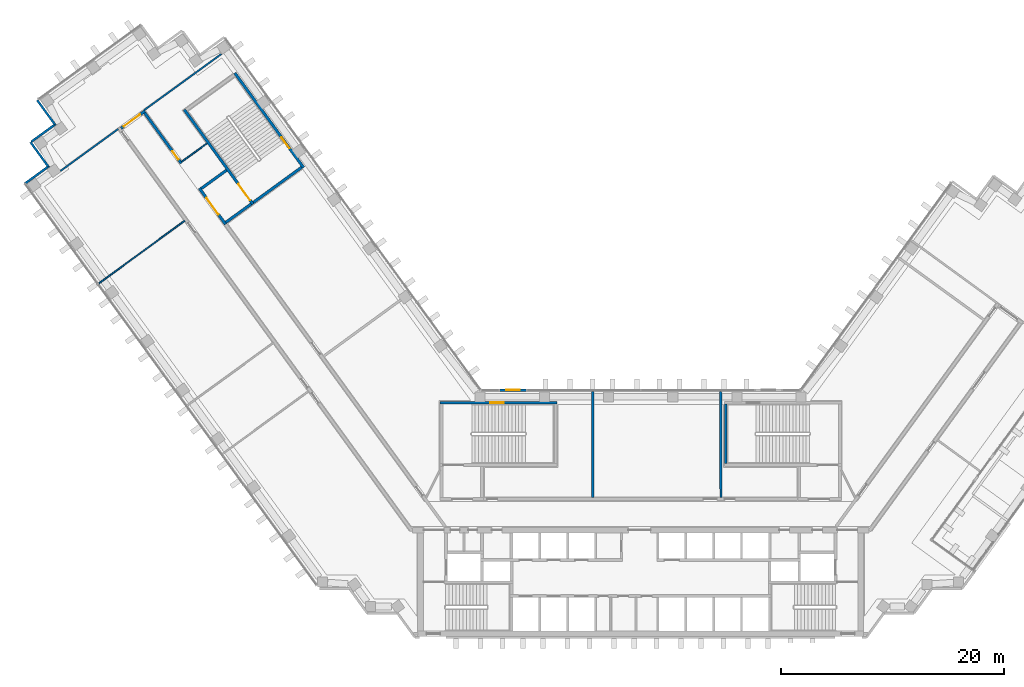
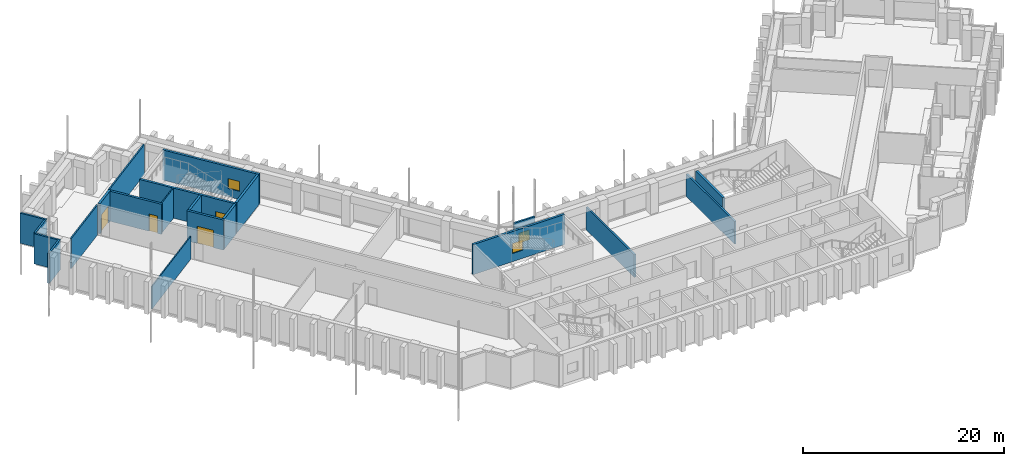
# One storey, part 11 of 17: 21 walls, 4 doors, 3 windows, 7 openings.
"""IFC4 building model written with IfcOpenShell, lengths in metres."""

from ifc_helpers import new_model, si_unit, direction, frame, frame_2d, origin, place, context, subcontext, project, spatial, rectangle, extrude, material, layer, layer_set, type_object, element, fill, save


model = new_model("IFC4")

# Units and contexts
model_context = context("Model", 3, precision=1e-05, world=origin(), true_north=direction((0.0, 1.0)))
body_context = subcontext(model_context, "Body", "Model", "MODEL_VIEW")
ifc_project = project(units=[si_unit("LENGTHUNIT", "METRE"), si_unit("AREAUNIT", "SQUARE_METRE"), si_unit("VOLUMEUNIT", "CUBIC_METRE"), si_unit("PLANEANGLEUNIT", "RADIAN"), si_unit("MASSUNIT", "GRAM", prefix="KILO")], contexts=[model_context])

# Site, building, storey
site_placement = place(None, origin())
site = spatial("IfcSite", under=ifc_project, at=site_placement, CompositionType="ELEMENT")
building_placement = place(site_placement, origin())
building = spatial("IfcBuilding", under=site, at=building_placement, Name="Quipu Civic Tower", CompositionType="ELEMENT")
storey_placement = place(building_placement, frame((0.0, 0.0, 101.0)))
storey = spatial("IfcBuildingStorey", under=building, at=storey_placement, Name="L23", CompositionType="ELEMENT", Elevation=101.0)

# Walls
ifc_material_1 = material(Name="Double gypsum plasterboard with mineral wool")
ifc_layer_1 = layer(ifc_material_1, 0.14990234375)
ifc_layer_set_1 = layer_set([ifc_layer_1], Name="Double gypsum plasterboard with mineral wool")
wall_type_1 = type_object("IfcWallType", Name="Acoustic partition 150 plasterboard", PredefinedType="PARTITIONING", material=ifc_layer_set_1)
wall_1_placement = place(storey_placement, frame((-37.614013671875, 41.2568359375, 0.0), z_axis=(0.0, 0.0, 1.0), x_axis=(-0.808991595707, -0.587820208972, 0.0)))
element("IfcWall", 1, at=wall_1_placement, inside=storey, type_object=wall_type_1, Name="Partition P07", PredefinedType="PARTITIONING", context=body_context, shape_type="SweptSolid", body=[
    extrude(rectangle(XDim=8.550537109375, YDim=0.14990234375, at=frame_2d((4.275390625, 0.0))), origin(), (0.0, 0.0, 1.0), 3.64990234375),
])
wall_2_placement = place(storey_placement, frame((-46.877197265625, 34.52587890625, 0.0), z_axis=(0.0, 0.0, 1.0), x_axis=(-0.808993566199, -0.587817497059, 0.0)))
element("IfcWall", 2, at=wall_2_placement, inside=storey, type_object=wall_type_1, Name="Partition P08", PredefinedType="PARTITIONING", context=body_context, shape_type="SweptSolid", body=[
    extrude(rectangle(XDim=6.39453125, YDim=0.14990234375, at=frame_2d((3.197265625, 0.0))), origin(), (0.0, 0.0, 1.0), 3.64990234375),
])
ifc_material_2 = material(Name="Fired clay blockwork", Category="masonry")
ifc_layer_2 = layer(ifc_material_2, 0.199951171875)
ifc_layer_set_2 = layer_set([ifc_layer_2], Name="Fired clay blockwork")
wall_type_2 = type_object("IfcWallType", Name="Blockwork wall 200", PredefinedType="SOLIDWALL", material=ifc_layer_set_2)
for number, where, z_axis, x_axis, name in (
    (3, (-4.299072265625, 11.0, 0.0), (0.0, 0.0, 1.0), (0.0, -1.0, 0.0), "Partition P04"),
    (4, (7.197998046875, 1.449951171875, 0.0), (0.0, 0.0, 1.0), (-0.002377476217, 0.999997173799, 0.0), "Partition P05"),
):
    element("IfcWall", number, at=place(storey_placement, frame(where, z_axis=z_axis, x_axis=x_axis)), inside=storey, type_object=wall_type_2, Name=name, PredefinedType="SOLIDWALL", context=body_context, shape_type="SweptSolid", body=[
        extrude(rectangle(XDim=9.550048828125, YDim=0.199951171875, at=frame_2d((4.77490234375, 0.0))), origin(), (0.0, 0.0, 1.0), 2.75),
    ])

# Wall, opening, window
ifc_material_3 = material(Name="Concrete C70/85", Category="concrete")
ifc_layer_3 = layer(ifc_material_3, 0.25)
ifc_layer_set_3 = layer_set([ifc_layer_3], Name="Concrete C70/85")
wall_type_3 = type_object("IfcWallType", Name="Core wall 250", PredefinedType="SHEAR", material=ifc_layer_set_3)
wall_3_placement = place(storey_placement, frame((-18.0, 9.97509765625, 0.0), z_axis=(0.0, 0.0, 1.0), x_axis=(1.0, 0.0, 0.0)))
wall_3 = element("IfcWall", 5, at=wall_3_placement, inside=storey, type_object=wall_type_3, Name="Core wall", PredefinedType="SHEAR", context=body_context, shape_type="SweptSolid", body=[
    extrude(rectangle(XDim=10.5, YDim=0.25, at=frame_2d((5.25, 0.0))), origin(), (0.0, 0.0, 1.0), 3.64990234375),
])
opening_1_placement = place(wall_3_placement, frame((4.5, 0.0, 1.0)))
opening_1 = element("IfcOpeningElement", 6, at=opening_1_placement, cuts=wall_3, Name="Opening SV-3", PredefinedType="OPENING", context=body_context, shape_type="SweptSolid", body=[
    extrude(rectangle(XDim=1.199951171875, YDim=1.199951171875, at=frame_2d((0.60009765625, 0.60009765625))), frame((0.0, 0.135009765625, 0.0), z_axis=(0.0, -1.0, 0.0), x_axis=(1.0, 0.0, 0.0)), (0.0, 0.0, 1.0), 0.27001953125),
])
ifc_material_4 = material(Name="Aluminium louvre", Category="aluminium")
window_type_1 = type_object("IfcWindowType", Name="Stair ventilation louvre 1200 x 1200", PartitioningType="SINGLE_PANEL", PredefinedType="WINDOW", material=ifc_material_4)
window_1_placement = place(opening_1_placement, origin())
window_1 = element("IfcWindow", 7, at=window_1_placement, inside=storey, type_object=window_type_1, Name="Stair ventilation opening", OverallHeight=1.199951171875, OverallWidth=1.199951171875, PartitioningType="SINGLE_PANEL", PredefinedType="WINDOW", context=body_context, shape_type="SweptSolid", body=[
    extrude(rectangle(XDim=1.199951171875, YDim=1.199951171875, at=frame_2d((0.60009765625, 0.60009765625))), frame((0.0, 0.030029296875, 0.0), z_axis=(0.0, -1.0, 0.0), x_axis=(1.0, 0.0, 0.0)), (0.0, 0.0, 1.0), 0.06005859375),
])
fill(opening_1, window_1)

# Wall
wall_4_placement = place(storey_placement, frame((7.625, 4.5, 0.0), z_axis=(0.0, 0.0, 1.0), x_axis=(0.0, 1.0, 0.0)))
element("IfcWall", 8, at=wall_4_placement, inside=storey, type_object=wall_type_3, Name="Core wall", PredefinedType="SHEAR", context=body_context, shape_type="SweptSolid", body=[
    extrude(rectangle(XDim=5.35009765625, YDim=0.25, at=frame_2d((2.675048828125, 0.0))), origin(), (0.0, 0.0, 1.0), 3.64990234375),
])

# Wall, opening, window
wall_5_placement = place(storey_placement, frame((-30.239501953125, 31.06396484375, 0.0), z_axis=(0.0, 0.0, 1.0), x_axis=(-0.587795589702, 0.809009483706, 0.0)))
wall_5 = element("IfcWall", 9, at=wall_5_placement, inside=storey, type_object=wall_type_3, Name="Core wall", PredefinedType="SHEAR", context=body_context, shape_type="SweptSolid", body=[
    extrude(rectangle(XDim=10.5, YDim=0.25, at=frame_2d((5.25, 0.0))), origin(), (0.0, 0.0, 1.0), 3.64990234375),
])
opening_2_placement = place(wall_5_placement, frame((2.14990234375, 0.0, 1.0)))
opening_2 = element("IfcOpeningElement", 10, at=opening_2_placement, cuts=wall_5, Name="Opening SV-6", PredefinedType="OPENING", context=body_context, shape_type="SweptSolid", body=[
    extrude(rectangle(XDim=1.199951171875, YDim=1.199951171875, at=frame_2d((0.60009765625, 0.60009765625))), frame((0.0, 0.135009765625, 0.0), z_axis=(0.0, -1.0, 0.0), x_axis=(1.0, 0.0, 0.0)), (0.0, 0.0, 1.0), 0.27001953125),
])
window_2_placement = place(opening_2_placement, origin())
window_2 = element("IfcWindow", 11, at=window_2_placement, inside=storey, type_object=window_type_1, Name="Stair ventilation opening", OverallHeight=1.199951171875, OverallWidth=1.199951171875, PartitioningType="SINGLE_PANEL", PredefinedType="WINDOW", context=body_context, shape_type="SweptSolid", body=[
    extrude(rectangle(XDim=1.199951171875, YDim=1.199951171875, at=frame_2d((0.60009765625, 0.60009765625))), frame((0.0, 0.030029296875, 0.0), z_axis=(0.0, -1.0, 0.0), x_axis=(1.0, 0.0, 0.0)), (0.0, 0.0, 1.0), 0.06005859375),
])
fill(opening_2, window_2)

# Wall
wall_6_placement = place(storey_placement, frame((-30.414306640625, 31.091796875, 0.0), z_axis=(0.0, 0.0, 1.0), x_axis=(-0.8089984606, -0.587810760999, 0.0)))
element("IfcWall", 12, at=wall_6_placement, inside=storey, type_object=wall_type_3, Name="Core wall", PredefinedType="SHEAR", context=body_context, shape_type="SweptSolid", body=[
    extrude(rectangle(XDim=5.35009765625, YDim=0.25, at=frame_2d((2.675048828125, 0.0))), origin(), (0.0, 0.0, 1.0), 3.64990234375),
])

# Wall, opening, door
wall_7_placement = place(storey_placement, frame((-40.94189453125, 36.26708984375, 0.0), z_axis=(0.0, 0.0, 1.0), x_axis=(0.587795589702, -0.809009483706, 0.0)))
wall_7 = element("IfcWall", 13, at=wall_7_placement, inside=storey, type_object=wall_type_3, Name="Core wall", PredefinedType="SHEAR", context=body_context, shape_type="SweptSolid", body=[
    extrude(rectangle(XDim=10.5, YDim=0.25, at=frame_2d((5.25, 0.0))), origin(), (0.0, 0.0, 1.0), 3.64990234375),
])
opening_3_placement = place(wall_7_placement, frame((8.25, 0.0, 0.0)))
opening_3 = element("IfcOpeningElement", 14, at=opening_3_placement, cuts=wall_7, Name="Opening CD-19", PredefinedType="OPENING", context=body_context, shape_type="SweptSolid", body=[
    extrude(rectangle(XDim=1.800048828125, YDim=2.10009765625, at=frame_2d((0.89990234375, 1.050048828125))), frame((0.0, 0.135009765625, 0.0), z_axis=(0.0, -1.0, 0.0), x_axis=(1.0, 0.0, 0.0)), (0.0, 0.0, 1.0), 0.27001953125),
])
ifc_material_5 = material(Name="Fire rated steel door", Category="steel")
door_type_1 = type_object("IfcDoorType", Name="Fire door FD90 double 1800 x 2100", OperationType="NOTDEFINED", PredefinedType="DOOR", material=ifc_material_5)
door_1_placement = place(opening_3_placement, origin())
door_1 = element("IfcDoor", 15, at=door_1_placement, inside=storey, type_object=door_type_1, Name="Door", OperationType="DOUBLE_DOOR_SINGLE_SWING", OverallHeight=2.10009765625, OverallWidth=1.800048828125, PredefinedType="DOOR", context=body_context, shape_type="SweptSolid", body=[
    extrude(rectangle(XDim=1.800048828125, YDim=2.10009765625, at=frame_2d((0.89990234375, 1.050048828125))), frame((0.0, 0.02490234375, 0.0), z_axis=(0.0, -1.0, 0.0), x_axis=(1.0, 0.0, 0.0)), (0.0, 0.0, 1.0), 0.050048828125),
])
fill(opening_3, door_1)

# Walls
for number, where, z_axis, x_axis, name in (
    (16, (-34.944580078125, 27.800048828125, 0.0), (0.0, 0.0, 1.0), (-0.809041377956, -0.587751689708, 0.0), "Core wall"),
    (17, (-37.14892578125, 30.833984375, 0.0), (0.0, 0.0, 1.0), (-0.808969789945, -0.58785021813, 0.0), "Core wall"),
):
    element("IfcWall", number, at=place(storey_placement, frame(where, z_axis=z_axis, x_axis=x_axis)), inside=storey, type_object=wall_type_3, Name=name, PredefinedType="SHEAR", context=body_context, shape_type="SweptSolid", body=[
        extrude(rectangle(XDim=2.800048828125, YDim=0.25, at=frame_2d((1.39990234375, 0.0))), origin(), (0.0, 0.0, 1.0), 3.64990234375),
    ])

# Wall, opening, door
wall_8_placement = place(storey_placement, frame((-39.588623046875, 29.2158203125, 0.0), z_axis=(0.0, 0.0, 1.0), x_axis=(0.587772420479, -0.809026317077, 0.0)))
wall_8 = element("IfcWall", 18, at=wall_8_placement, inside=storey, type_object=wall_type_3, Name="Core wall", PredefinedType="SHEAR", context=body_context, shape_type="SweptSolid", body=[
    extrude(rectangle(XDim=4.0, YDim=0.25, at=frame_2d((2.0, 0.0))), origin(), (0.0, 0.0, 1.0), 3.64990234375),
])
opening_4_placement = place(wall_8_placement, frame((1.10009765625, 0.0, 0.0)))
opening_4 = element("IfcOpeningElement", 19, at=opening_4_placement, cuts=wall_8, Name="Opening CD-20", PredefinedType="OPENING", context=body_context, shape_type="SweptSolid", body=[
    extrude(rectangle(XDim=1.800048828125, YDim=2.10009765625, at=frame_2d((0.89990234375, 1.050048828125))), frame((0.0, 0.135009765625, 0.0), z_axis=(0.0, -1.0, 0.0), x_axis=(1.0, 0.0, 0.0)), (0.0, 0.0, 1.0), 0.27001953125),
])
door_2_placement = place(opening_4_placement, origin())
door_2 = element("IfcDoor", 20, at=door_2_placement, inside=storey, type_object=door_type_1, Name="Lobby door", OperationType="DOUBLE_DOOR_SINGLE_SWING", OverallHeight=2.10009765625, OverallWidth=1.800048828125, PredefinedType="DOOR", context=body_context, shape_type="SweptSolid", body=[
    extrude(rectangle(XDim=1.800048828125, YDim=2.10009765625, at=frame_2d((0.89990234375, 1.050048828125))), frame((0.0, 0.02490234375, 0.0), z_axis=(0.0, -1.0, 0.0), x_axis=(1.0, 0.0, 0.0)), (0.0, 0.0, 1.0), 0.050048828125),
])
fill(opening_4, door_2)

ifc_material_6 = material(Name="Concrete C50/60", Category="concrete")
ifc_layer_4 = layer(ifc_material_6, 0.25)
ifc_layer_set_4 = layer_set([ifc_layer_4], Name="Concrete C50/60")
wall_type_4 = type_object("IfcWallType", Name="Corridor wall 250 concrete", PredefinedType="SOLIDWALL", material=ifc_layer_set_4)
wall_9_placement = place(storey_placement, frame((-46.613037109375, 34.587890625, 0.0), z_axis=(0.0, 0.0, 1.0), x_axis=(0.808994936898, 0.587815610607, 0.0)))
wall_9 = element("IfcWall", 21, at=wall_9_placement, inside=storey, type_object=wall_type_4, Name="Corridor wall C02", PredefinedType="SOLIDWALL", context=body_context, shape_type="SweptSolid", body=[
    extrude(rectangle(XDim=2.650146484375, YDim=0.25, at=frame_2d((1.3251953125, 0.0))), origin(), (0.0, 0.0, 1.0), 3.64990234375),
])
opening_5_placement = place(wall_9_placement, frame((0.29931640625, 0.0, 0.0)))
opening_5 = element("IfcOpeningElement", 22, at=opening_5_placement, cuts=wall_9, Name="Opening D016", PredefinedType="OPENING", context=body_context, shape_type="SweptSolid", body=[
    extrude(rectangle(XDim=1.800048828125, YDim=2.10009765625, at=frame_2d((0.89990234375, 1.050048828125))), frame((0.0, 0.135009765625, 0.0), z_axis=(0.0, -1.0, 0.0), x_axis=(1.0, 0.0, 0.0)), (0.0, 0.0, 1.0), 0.27001953125),
])
ifc_material_7 = material(Name="Fire rated timber door set with metal frame", Category="wood")
door_type_2 = type_object("IfcDoorType", Name="Double door 1800 x 2100 FD60", OperationType="DOUBLE_DOOR_SINGLE_SWING", PredefinedType="DOOR", material=ifc_material_7)
door_3_placement = place(opening_5_placement, origin())
door_3 = element("IfcDoor", 23, at=door_3_placement, inside=storey, type_object=door_type_2, Name="Door D016", OperationType="DOUBLE_DOOR_SINGLE_SWING", OverallHeight=2.10009765625, OverallWidth=1.800048828125, PredefinedType="DOOR", context=body_context, shape_type="SweptSolid", body=[
    extrude(rectangle(XDim=1.800048828125, YDim=2.10009765625, at=frame_2d((0.89990234375, 1.050048828125))), frame((0.0, 0.02490234375, 0.0), z_axis=(0.0, -1.0, 0.0), x_axis=(1.0, 0.0, 0.0)), (0.0, 0.0, 1.0), 0.050048828125),
])
fill(opening_5, door_3)

wall_10_placement = place(storey_placement, frame((-44.49658203125, 35.97119140625, 0.0), z_axis=(0.0, 0.0, 1.0), x_axis=(0.587742866856, -0.809047787501, 0.0)))
wall_10 = element("IfcWall", 24, at=wall_10_placement, inside=storey, type_object=wall_type_4, Name="Corridor wall C03", PredefinedType="SOLIDWALL", context=body_context, shape_type="SweptSolid", body=[
    extrude(rectangle(XDim=5.58642578125, YDim=0.25, at=frame_2d((2.793212890625, 0.0))), origin(), (0.0, 0.0, 1.0), 3.64990234375),
])
opening_6_placement = place(wall_10_placement, frame((4.2451171875, 0.0, 0.0)))
opening_6 = element("IfcOpeningElement", 25, at=opening_6_placement, cuts=wall_10, Name="Opening D009", PredefinedType="OPENING", context=body_context, shape_type="SweptSolid", body=[
    extrude(rectangle(XDim=0.89990234375, YDim=2.10009765625, at=frame_2d((0.449951171875, 1.050048828125))), frame((0.0, 0.135009765625, 0.0), z_axis=(0.0, -1.0, 0.0), x_axis=(1.0, 0.0, 0.0)), (0.0, 0.0, 1.0), 0.27001953125),
])
ifc_material_8 = material(Name="Fire rated timber door set with metal frame", Category="wood")
door_type_3 = type_object("IfcDoorType", Name="Single door 900 x 2100 FD60", OperationType="NOTDEFINED", PredefinedType="DOOR", material=ifc_material_8)
door_4_placement = place(opening_6_placement, origin())
door_4 = element("IfcDoor", 26, at=door_4_placement, inside=storey, type_object=door_type_3, Name="Door D009", OperationType="SINGLE_SWING_RIGHT", OverallHeight=2.10009765625, OverallWidth=0.89990234375, PredefinedType="DOOR", context=body_context, shape_type="SweptSolid", body=[
    extrude(rectangle(XDim=0.89990234375, YDim=2.10009765625, at=frame_2d((0.449951171875, 1.050048828125))), frame((0.0, 0.02490234375, 0.0), z_axis=(0.0, -1.0, 0.0), x_axis=(1.0, 0.0, 0.0)), (0.0, 0.0, 1.0), 0.050048828125),
])
fill(opening_6, door_4)

# Walls
ifc_material_9 = material(Name="Gypsum plasterboard on light gauge framing")
ifc_layer_5 = layer(ifc_material_9, 0.1201171875)
ifc_layer_set_5 = layer_set([ifc_layer_5], Name="Gypsum plasterboard on light gauge framing")
wall_type_5 = type_object("IfcWallType", Name="Partition 120 plasterboard", PredefinedType="PARTITIONING", material=ifc_layer_set_5)
wall_11_placement = place(storey_placement, frame((-48.615478515625, 20.67138671875, 0.0), z_axis=(0.0, 0.0, 1.0), x_axis=(0.807691251741, 0.589605666408, 0.0)))
element("IfcWall", 27, at=wall_11_placement, inside=storey, type_object=wall_type_5, Name="Partition P09", PredefinedType="PARTITIONING", context=body_context, shape_type="SweptSolid", body=[
    extrude(rectangle(XDim=9.55029296875, YDim=0.1201171875, at=frame_2d((4.775146484375, 0.0))), origin(), (0.0, 0.0, 1.0), 2.75),
])
wall_12_placement = place(storey_placement, frame((-41.166015625, 31.59912109375, 0.0), z_axis=(0.0, 0.0, 1.0), x_axis=(0.809090262332, 0.587684394381, 0.0)))
element("IfcWall", 28, at=wall_12_placement, inside=storey, type_object=wall_type_5, Name="Partition P14", PredefinedType="PARTITIONING", context=body_context, shape_type="SweptSolid", body=[
    extrude(rectangle(XDim=2.80078125, YDim=0.1201171875, at=frame_2d((1.400390625, 0.0))), origin(), (0.0, 0.0, 1.0), 3.64990234375),
])
ifc_material_10 = material(Name="Precast concrete C40/50", Category="concrete")
wall_type_6 = type_object("IfcWallType", Name="Precast cladding wall", PredefinedType="SOLIDWALL", material=ifc_material_10)
for number, where, z_axis, x_axis, name in (
    (29, (-54.140380859375, 37.12255859375, 0.0), (0.0, 0.0, 1.0), (0.587822180636, -0.808990163075, 0.0), "Precast cladding wall L23 P12"),
    (30, (-52.46533203125, 34.9873046875, 0.0), (0.0, 0.0, 1.0), (-0.809033161865, -0.587762999008, 0.0), "Precast cladding wall L23 P13"),
):
    element("IfcWall", number, at=place(storey_placement, frame(where, z_axis=z_axis, x_axis=x_axis)), inside=storey, type_object=wall_type_6, Name=name, PredefinedType="SOLIDWALL", context=body_context, shape_type="SweptSolid", body=[
        extrude(rectangle(XDim=2.699951171875, YDim=0.199951171875, at=frame_2d((1.35009765625, 0.0))), origin(), (0.0, 0.0, 1.0), 3.64990234375),
    ])
wall_13_placement = place(storey_placement, frame((-54.73779296875, 33.351318359375, 0.0), z_axis=(0.0, 0.0, 1.0), x_axis=(0.587779184282, -0.809021403008, 0.0)))
element("IfcWall", 31, at=wall_13_placement, inside=storey, type_object=wall_type_6, Name="Precast cladding wall L23 P14", PredefinedType="SOLIDWALL", context=body_context, shape_type="SweptSolid", body=[
    extrude(rectangle(XDim=2.7001953125, YDim=0.199951171875, at=frame_2d((1.35009765625, 0.0))), origin(), (0.0, 0.0, 1.0), 3.64990234375),
])
wall_14_placement = place(storey_placement, frame((-53.062744140625, 31.2158203125, 0.0), z_axis=(0.0, 0.0, 1.0), x_axis=(-0.809033161865, -0.587762999008, 0.0)))
element("IfcWall", 32, at=wall_14_placement, inside=storey, type_object=wall_type_6, Name="Precast cladding wall L23 P15", PredefinedType="SOLIDWALL", context=body_context, shape_type="SweptSolid", body=[
    extrude(rectangle(XDim=2.699951171875, YDim=0.199951171875, at=frame_2d((1.35009765625, 0.0))), origin(), (0.0, 0.0, 1.0), 3.64990234375),
])

# Wall, opening, window
wall_15_placement = place(storey_placement, frame((-10.263427734375, 11.10009765625, 0.0), z_axis=(0.0, 0.0, 1.0), x_axis=(-1.0, 0.0, 0.0)))
wall_15 = element("IfcWall", 33, at=wall_15_placement, inside=storey, type_object=wall_type_6, Name="Vent surround SF-L22-1", PredefinedType="SOLIDWALL", context=body_context, shape_type="SweptSolid", body=[
    extrude(rectangle(XDim=2.3916015625, YDim=0.199951171875, at=frame_2d((1.19580078125, 0.0))), origin(), (0.0, 0.0, 1.0), 3.64990234375),
])
opening_7_placement = place(wall_15_placement, frame((0.595703125, 0.0, 1.0)))
opening_7 = element("IfcOpeningElement", 34, at=opening_7_placement, cuts=wall_15, Name="Opening SF-L22-1", PredefinedType="OPENING", context=body_context, shape_type="SweptSolid", body=[
    extrude(rectangle(XDim=1.199951171875, YDim=1.199951171875, at=frame_2d((0.60009765625, 0.60009765625))), frame((0.0, 0.10986328125, 0.0), z_axis=(0.0, -1.0, 0.0), x_axis=(1.0, 0.0, 0.0)), (0.0, 0.0, 1.0), 0.219970703125),
])
ifc_material_11 = material(Name="Anodised aluminium louvre", Category="aluminium")
window_type_2 = type_object("IfcWindowType", Name="Stair vent louvre window P3", PartitioningType="SINGLE_PANEL", PredefinedType="WINDOW", material=ifc_material_11)
window_3_placement = place(opening_7_placement, origin())
window_3 = element("IfcWindow", 35, at=window_3_placement, inside=storey, type_object=window_type_2, Name="Stair vent louvre SF-L22-1", OverallHeight=1.199951171875, OverallWidth=1.199951171875, PartitioningType="SINGLE_PANEL", PredefinedType="WINDOW", context=body_context, shape_type="SweptSolid", body=[
    extrude(rectangle(XDim=1.199951171875, YDim=1.199951171875, at=frame_2d((0.60009765625, 0.60009765625))), frame((0.0, 0.030029296875, 0.0), z_axis=(0.0, -1.0, 0.0), x_axis=(1.0, 0.0, 0.0)), (0.0, 0.0, 1.0), 0.06005859375),
])
fill(opening_7, window_3)

save(model, "model.ifc")
